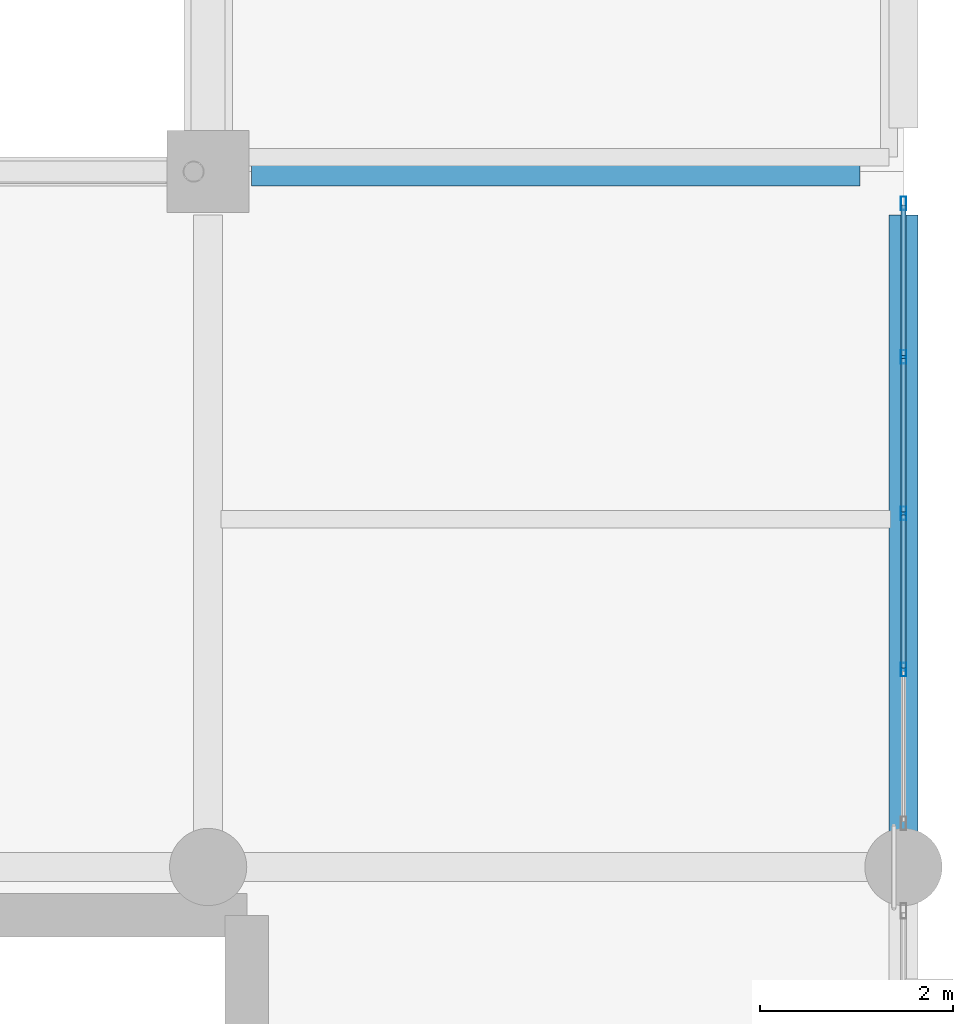
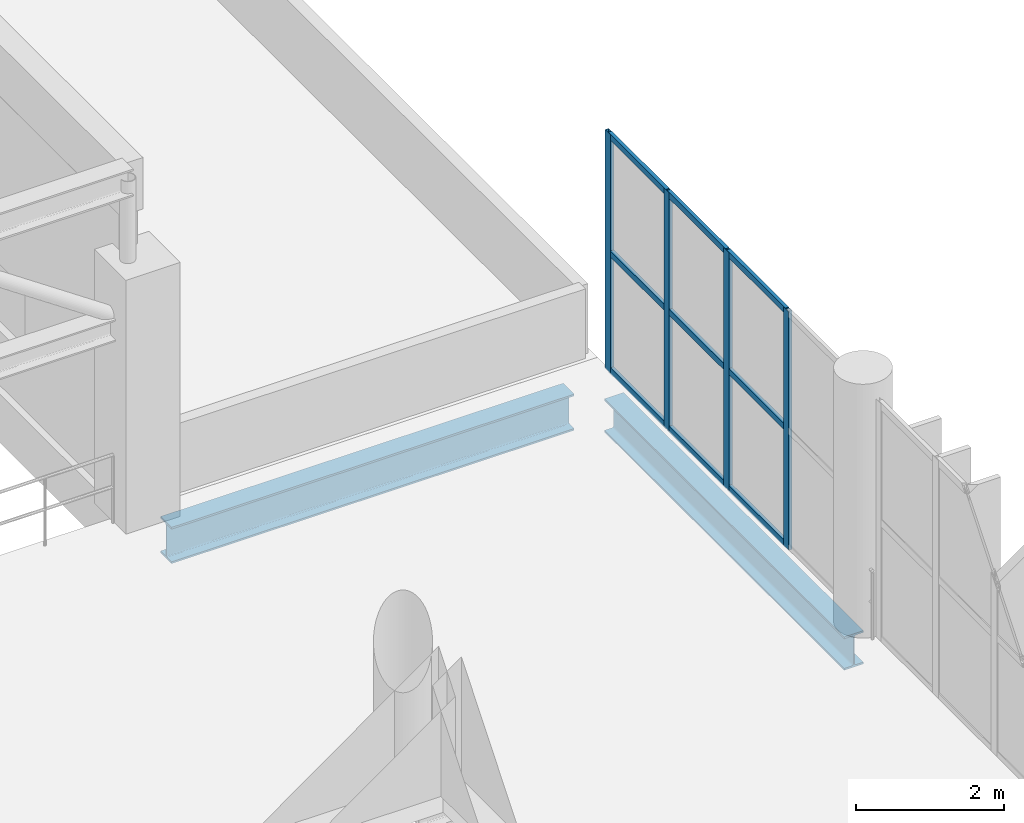
# One storey, part 92 of 153: 13 members, 2 beams, 1 element without a shape of its own.
"""IFC4 building model written with IfcOpenShell, lengths in metres."""

from ifc_helpers import new_model, si_unit, direction, frame, origin, origin_2d, place, context, subcontext, project, spatial, hollow_rectangle, i_section, extrude, material, material_profile, profile_set, type_object, element, aggregate, save


model = new_model("IFC4")

# Units and contexts
model_context = context("Model", 3, precision=1e-05, world=origin(), true_north=direction((0.0, 1.0)))
body_context = subcontext(model_context, "Body", "Model", "MODEL_VIEW")
ifc_project = project(units=[si_unit("LENGTHUNIT", "METRE"), si_unit("AREAUNIT", "SQUARE_METRE"), si_unit("VOLUMEUNIT", "CUBIC_METRE"), si_unit("PLANEANGLEUNIT", "RADIAN"), si_unit("MASSUNIT", "GRAM", prefix="KILO")], contexts=[model_context])

# Site, building, storey
site_placement = place(None, origin())
site = spatial("IfcSite", under=ifc_project, at=site_placement, CompositionType="ELEMENT")
building_placement = place(site_placement, origin())
building = spatial("IfcBuilding", under=site, at=building_placement, Name="Qandorah Velis Arena", CompositionType="ELEMENT")
storey_placement = place(building_placement, frame((0.0, 0.0, 5.39990234375)))
storey = spatial("IfcBuildingStorey", under=building, at=storey_placement, Name="L01", CompositionType="ELEMENT", Elevation=5.39990234375)

# Curtain wall, members
ifc_material_1 = material(Name="Solar-control low-E double glazing", Category="glass")
curtain_wall_type = type_object("IfcCurtainWallType", Name="ARC-CW-SYS24", PredefinedType="USERDEFINED", material=ifc_material_1)
curtain_wall_placement = place(storey_placement, origin())
curtain_wall = element("IfcCurtainWall", 1, at=curtain_wall_placement, inside=storey, type_object=curtain_wall_type, Name="Unitised curtain wall L01-144", ObjectType="UNITISED CURTAIN WALL", PredefinedType="USERDEFINED")
ifc_material_2 = material(Name="Champagne-bronze anodized aluminium 6063-T6", Category="aluminium")
ifc_material_profile_1 = material_profile(ifc_material_2, hollow_rectangle(XDim=0.054931640625, YDim=0.139892578125, WallThickness=0.0029296875, at=origin_2d()), Name="ALU MULLION 55x140")
ifc_profile_set_1 = profile_set([ifc_material_profile_1], Name="Champagne-bronze anodized aluminium 6063-T6")
member_type_1 = type_object("IfcMemberType", Name="ARC-CWM-140", PredefinedType="MULLION", material=ifc_profile_set_1)
member_1_placement = place(storey_placement, frame((172.800048828125, 88.44384765625, -0.014892578125), z_axis=(0.0, 0.0, 1.0), x_axis=(-1.0, 0.0, 0.0)))
member_1 = element("IfcMember", 2, at=member_1_placement, type_object=member_type_1, Name="CW24 mullion 2", PredefinedType="MULLION", context=body_context, shape_type="SweptSolid", body=[
    extrude(hollow_rectangle(XDim=0.054931640625, YDim=0.139892578125, WallThickness=0.0029296875, at=origin_2d()), origin(), (0.0, 0.0, 1.0), 3.949951171875),
])
member_2_placement = place(storey_placement, frame((172.800048828125, 90.0625, -0.014892578125), z_axis=(0.0, 0.0, 1.0), x_axis=(-1.0, 0.0, 0.0)))
member_2 = element("IfcMember", 3, at=member_2_placement, type_object=member_type_1, Name="CW24 mullion 3", PredefinedType="MULLION", context=body_context, shape_type="SweptSolid", body=[
    extrude(hollow_rectangle(XDim=0.054931640625, YDim=0.139892578125, WallThickness=0.0029296875, at=origin_2d()), origin(), (0.0, 0.0, 1.0), 3.949951171875),
])
member_3_placement = place(storey_placement, frame((172.800048828125, 91.68115234375, -0.014892578125), z_axis=(0.0, 0.0, 1.0), x_axis=(-1.0, 0.0, 0.0)))
member_3 = element("IfcMember", 4, at=member_3_placement, type_object=member_type_1, Name="CW24 mullion 4", PredefinedType="MULLION", context=body_context, shape_type="SweptSolid", body=[
    extrude(hollow_rectangle(XDim=0.054931640625, YDim=0.139892578125, WallThickness=0.0029296875, at=origin_2d()), origin(), (0.0, 0.0, 1.0), 3.949951171875),
])
member_4_placement = place(storey_placement, frame((172.800048828125, 93.2724609375, -0.014892578125), z_axis=(0.0, 0.0, 1.0), x_axis=(-1.0, 0.0, 0.0)))
member_4 = element("IfcMember", 5, at=member_4_placement, type_object=member_type_1, Name="CW24 mullion 5", PredefinedType="MULLION", context=body_context, shape_type="SweptSolid", body=[
    extrude(hollow_rectangle(XDim=0.054931640625, YDim=0.139892578125, WallThickness=0.0029296875, at=origin_2d()), origin(), (0.0, 0.0, 1.0), 3.949951171875),
])
ifc_material_profile_2 = material_profile(ifc_material_2, hollow_rectangle(XDim=0.054931640625, YDim=0.10009765625, WallThickness=0.0029296875, at=origin_2d()), Name="ALU TRANSOM 55x100")
ifc_profile_set_2 = profile_set([ifc_material_profile_2], Name="Champagne-bronze anodized aluminium 6063-T6")
member_type_2 = type_object("IfcMemberType", Name="ARC-CWT-100", PredefinedType="USERDEFINED", material=ifc_profile_set_2)
member_5_placement = place(storey_placement, frame((172.800048828125, 88.459228515625, 0.027587890625), z_axis=(0.0, 1.0, 0.0), x_axis=(-1.0, 0.0, 0.0)))
member_5 = element("IfcMember", 6, at=member_5_placement, type_object=member_type_2, Name="CW24 transom 2.1", ObjectType="TRANSOM", PredefinedType="USERDEFINED", context=body_context, shape_type="SweptSolid", body=[
    extrude(hollow_rectangle(XDim=0.054931640625, YDim=0.10009765625, WallThickness=0.0029296875, at=origin_2d()), origin(), (0.0, 0.0, 1.0), 1.587890625),
])
member_6_placement = place(storey_placement, frame((172.800048828125, 88.459228515625, 1.960205078125), z_axis=(0.0, 1.0, 0.0), x_axis=(-1.0, 0.0, 0.0)))
member_6 = element("IfcMember", 7, at=member_6_placement, type_object=member_type_2, Name="CW24 transom 2.2", ObjectType="TRANSOM", PredefinedType="USERDEFINED", context=body_context, shape_type="SweptSolid", body=[
    extrude(hollow_rectangle(XDim=0.054931640625, YDim=0.10009765625, WallThickness=0.0029296875, at=origin_2d()), origin(), (0.0, 0.0, 1.0), 1.587890625),
])
member_7_placement = place(storey_placement, frame((172.800048828125, 88.459228515625, 3.892578125), z_axis=(0.0, 1.0, 0.0), x_axis=(-1.0, 0.0, 0.0)))
member_7 = element("IfcMember", 8, at=member_7_placement, type_object=member_type_2, Name="CW24 transom 2.3", ObjectType="TRANSOM", PredefinedType="USERDEFINED", context=body_context, shape_type="SweptSolid", body=[
    extrude(hollow_rectangle(XDim=0.054931640625, YDim=0.10009765625, WallThickness=0.0029296875, at=origin_2d()), origin(), (0.0, 0.0, 1.0), 1.587890625),
])
member_8_placement = place(storey_placement, frame((172.800048828125, 90.077880859375, 0.027587890625), z_axis=(0.0, 1.0, 0.0), x_axis=(-1.0, 0.0, 0.0)))
member_8 = element("IfcMember", 9, at=member_8_placement, type_object=member_type_2, Name="CW24 transom 3.1", ObjectType="TRANSOM", PredefinedType="USERDEFINED", context=body_context, shape_type="SweptSolid", body=[
    extrude(hollow_rectangle(XDim=0.054931640625, YDim=0.10009765625, WallThickness=0.0029296875, at=origin_2d()), origin(), (0.0, 0.0, 1.0), 1.587890625),
])
member_9_placement = place(storey_placement, frame((172.800048828125, 90.077880859375, 1.960205078125), z_axis=(0.0, 1.0, 0.0), x_axis=(-1.0, 0.0, 0.0)))
member_9 = element("IfcMember", 10, at=member_9_placement, type_object=member_type_2, Name="CW24 transom 3.2", ObjectType="TRANSOM", PredefinedType="USERDEFINED", context=body_context, shape_type="SweptSolid", body=[
    extrude(hollow_rectangle(XDim=0.054931640625, YDim=0.10009765625, WallThickness=0.0029296875, at=origin_2d()), origin(), (0.0, 0.0, 1.0), 1.587890625),
])
member_10_placement = place(storey_placement, frame((172.800048828125, 90.077880859375, 3.892578125), z_axis=(0.0, 1.0, 0.0), x_axis=(-1.0, 0.0, 0.0)))
member_10 = element("IfcMember", 11, at=member_10_placement, type_object=member_type_2, Name="CW24 transom 3.3", ObjectType="TRANSOM", PredefinedType="USERDEFINED", context=body_context, shape_type="SweptSolid", body=[
    extrude(hollow_rectangle(XDim=0.054931640625, YDim=0.10009765625, WallThickness=0.0029296875, at=origin_2d()), origin(), (0.0, 0.0, 1.0), 1.587890625),
])
member_11_placement = place(storey_placement, frame((172.800048828125, 91.69677734375, 0.027587890625), z_axis=(0.0, 1.0, 0.0), x_axis=(-1.0, 0.0, 0.0)))
member_11 = element("IfcMember", 12, at=member_11_placement, type_object=member_type_2, Name="CW24 transom 4.1", ObjectType="TRANSOM", PredefinedType="USERDEFINED", context=body_context, shape_type="SweptSolid", body=[
    extrude(hollow_rectangle(XDim=0.054931640625, YDim=0.10009765625, WallThickness=0.0029296875, at=origin_2d()), origin(), (0.0, 0.0, 1.0), 1.560302734375),
])
member_12_placement = place(storey_placement, frame((172.800048828125, 91.69677734375, 1.960205078125), z_axis=(0.0, 1.0, 0.0), x_axis=(-1.0, 0.0, 0.0)))
member_12 = element("IfcMember", 13, at=member_12_placement, type_object=member_type_2, Name="CW24 transom 4.2", ObjectType="TRANSOM", PredefinedType="USERDEFINED", context=body_context, shape_type="SweptSolid", body=[
    extrude(hollow_rectangle(XDim=0.054931640625, YDim=0.10009765625, WallThickness=0.0029296875, at=origin_2d()), origin(), (0.0, 0.0, 1.0), 1.560302734375),
])
member_13_placement = place(storey_placement, frame((172.800048828125, 91.69677734375, 3.892578125), z_axis=(0.0, 1.0, 0.0), x_axis=(-1.0, 0.0, 0.0)))
member_13 = element("IfcMember", 14, at=member_13_placement, type_object=member_type_2, Name="CW24 transom 4.3", ObjectType="TRANSOM", PredefinedType="USERDEFINED", context=body_context, shape_type="SweptSolid", body=[
    extrude(hollow_rectangle(XDim=0.054931640625, YDim=0.10009765625, WallThickness=0.0029296875, at=origin_2d()), origin(), (0.0, 0.0, 1.0), 1.560302734375),
])
aggregate(curtain_wall, [member_1, member_2, member_3, member_4, member_5, member_6, member_7, member_8, member_9, member_10, member_11, member_12, member_13])

# Beams
ifc_material_3 = material(Name="Steel S355", Category="steel")
ifc_material_profile_3 = material_profile(ifc_material_3, i_section(OverallWidth=0.300048828125, OverallDepth=0.550048828125, WebThickness=0.014892578125, FlangeThickness=0.029052734375, FilletRadius=0.027099609375, at=origin_2d()), Name="HEB 550")
ifc_profile_set_3 = profile_set([ifc_material_profile_3], Name="Steel S355")
beam_type_1 = type_object("IfcBeamType", Name="STR-BM-HEB550", PredefinedType="BEAM", material=ifc_profile_set_3)
beam_1_placement = place(storey_placement, frame((172.800048828125, 86.64990234375, -0.635009765625), z_axis=(0.0, 1.0, 0.0), x_axis=(-1.0, 0.0, 0.0)))
element("IfcBeam", 15, at=beam_1_placement, inside=storey, type_object=beam_type_1, Name="Primary floor girder L01 Y-426", PredefinedType="BEAM", context=body_context, shape_type="SweptSolid", body=[
    extrude(i_section(OverallWidth=0.300048828125, OverallDepth=0.550048828125, WebThickness=0.014892578125, FlangeThickness=0.029052734375, FilletRadius=0.027099609375, at=origin_2d()), origin(), (0.0, 0.0, 1.0), 6.5),
])
ifc_material_profile_4 = material_profile(ifc_material_3, i_section(OverallWidth=0.300048828125, OverallDepth=0.60009765625, WebThickness=0.015380859375, FlangeThickness=0.030029296875, FilletRadius=0.027099609375, at=origin_2d()), Name="HEB 600")
ifc_profile_set_4 = profile_set([ifc_material_profile_4], Name="Steel S355")
beam_type_2 = type_object("IfcBeamType", Name="STR-BM-HEB600", PredefinedType="BEAM", material=ifc_profile_set_4)
beam_2_placement = place(storey_placement, frame((166.050048828125, 93.60009765625, -0.659912109375), z_axis=(1.0, 0.0, 0.0), x_axis=(0.0, 1.0, 0.0)))
element("IfcBeam", 16, at=beam_2_placement, inside=storey, type_object=beam_type_2, Name="Primary floor girder L01 X-144", PredefinedType="BEAM", context=body_context, shape_type="SweptSolid", body=[
    extrude(i_section(OverallWidth=0.300048828125, OverallDepth=0.60009765625, WebThickness=0.015380859375, FlangeThickness=0.030029296875, FilletRadius=0.027099609375, at=origin_2d()), origin(), (0.0, 0.0, 1.0), 6.300048828125),
])

save(model, "model.ifc")
